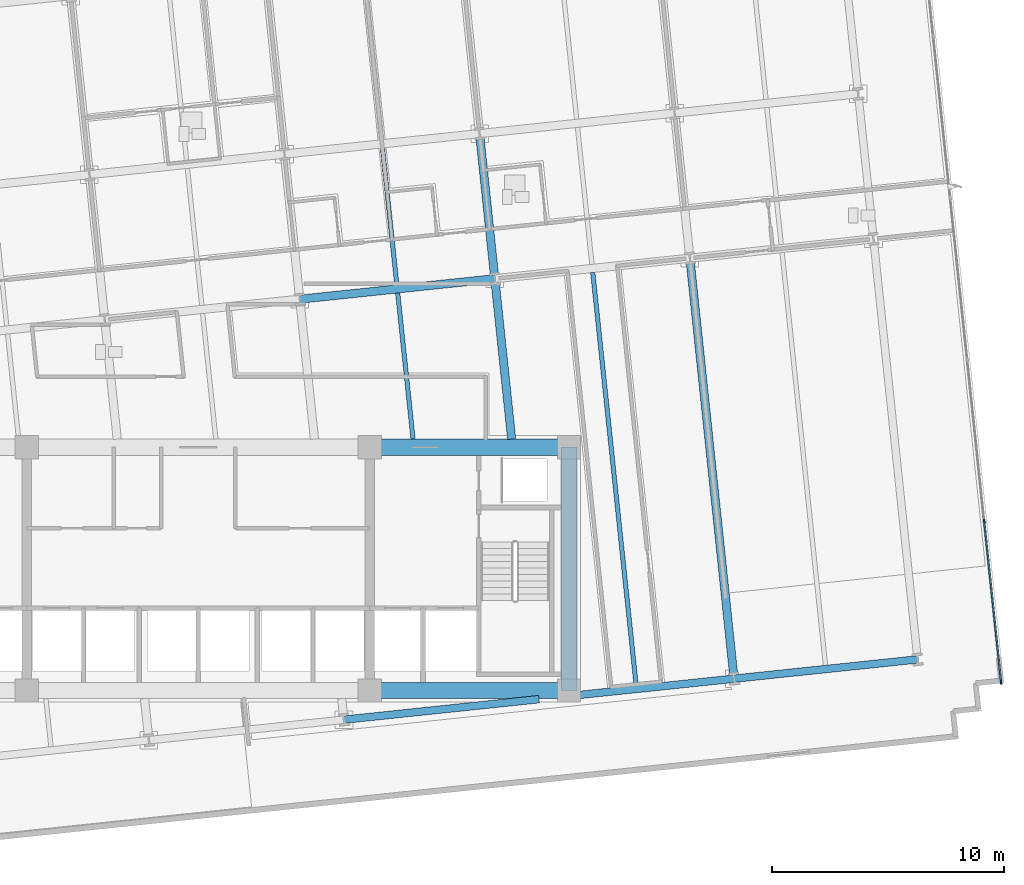
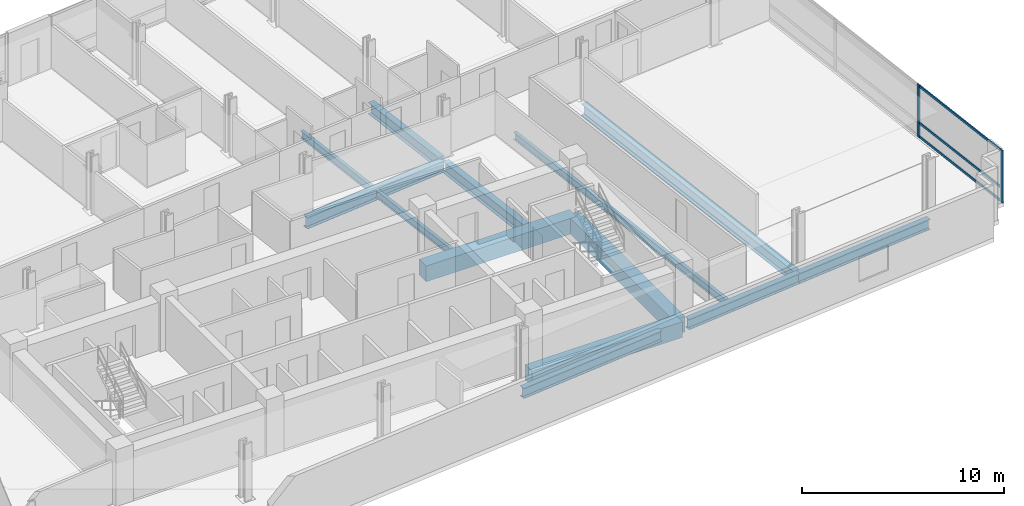
# One storey, part 4 of 17: 13 beams, 5 members, 1 element without a shape of its own.
"""IFC4 building model written with IfcOpenShell, lengths in metres."""

from ifc_helpers import new_model, si_unit, direction, frame, origin, origin_2d, place, context, subcontext, project, spatial, rectangle, i_section, extrude, material, material_profile, profile_set, type_object, element, aggregate, save


model = new_model("IFC4")

# Units and contexts
model_context = context("Model", 3, precision=1e-05, world=origin(), true_north=direction((0.0, 1.0)))
body_context = subcontext(model_context, "Body", "Model", "MODEL_VIEW")
ifc_project = project(units=[si_unit("LENGTHUNIT", "METRE"), si_unit("AREAUNIT", "SQUARE_METRE"), si_unit("VOLUMEUNIT", "CUBIC_METRE"), si_unit("PLANEANGLEUNIT", "RADIAN"), si_unit("MASSUNIT", "GRAM", prefix="KILO")], contexts=[model_context])

# Site, building, storey
site_placement = place(None, origin())
site = spatial("IfcSite", under=ifc_project, at=site_placement, CompositionType="ELEMENT")
building_placement = place(site_placement, origin())
building = spatial("IfcBuilding", under=site, at=building_placement, Name="Solmavex Isthmus Hotel", CompositionType="ELEMENT")
storey_placement = place(building_placement, frame((0.0, 0.0, 93.89990234375)))
storey = spatial("IfcBuildingStorey", under=building, at=storey_placement, Name="L25", CompositionType="ELEMENT", Elevation=93.89990234375)

# Beams
ifc_material_1 = material(Name="Steel ASTM A992 Grade 50", Category="steel")
ifc_material_profile_1 = material_profile(ifc_material_1, i_section(OverallWidth=0.354736328125, OverallDepth=0.695556640625, WebThickness=0.015380859375, FlangeThickness=0.02490234375, FilletRadius=0.017822265625, at=origin_2d()), Name="W27X146")
ifc_profile_set_1 = profile_set([ifc_material_profile_1], Name="Steel ASTM A992 Grade 50")
beam_type_1 = type_object("IfcBeamType", Name="BM-BG-W27X146", PredefinedType="BEAM", material=ifc_profile_set_1)
beam_1_placement = place(storey_placement, frame((4.38037109375, 3.888427734375, -0.607666015625), z_axis=(0.994521085209, 0.104536171134, 0.0), x_axis=(-0.104536171134, 0.994521085209, 0.0)))
element("IfcBeam", 1, at=beam_1_placement, inside=storey, type_object=beam_type_1, Name="Floor Girder L25-UG10", PredefinedType="BEAM", context=body_context, shape_type="SweptSolid", body=[
    extrude(i_section(OverallWidth=0.354736328125, OverallDepth=0.695556640625, WebThickness=0.015380859375, FlangeThickness=0.02490234375, FilletRadius=0.017822265625, at=origin_2d()), origin(), (0.0, 0.0, 1.0), 8.466064453125),
])
beam_2_placement = place(storey_placement, frame((13.52783203125, -2.14990234375, -0.607666015625), z_axis=(-0.104544283528, 0.994520232465, 0.0), x_axis=(-0.994520232465, -0.104544283528, 0.0)))
element("IfcBeam", 2, at=beam_2_placement, inside=storey, type_object=beam_type_1, Name="Floor Beam L25-VG40", PredefinedType="BEAM", context=body_context, shape_type="SweptSolid", body=[
    extrude(i_section(OverallWidth=0.354736328125, OverallDepth=0.695556640625, WebThickness=0.015380859375, FlangeThickness=0.02490234375, FilletRadius=0.017822265625, at=origin_2d()), origin(), (0.0, 0.0, 1.0), 6.783935546875),
])
beam_3_placement = place(storey_placement, frame((12.781494140625, 4.949951171875, -0.607666015625), z_axis=(-0.104505160346, 0.994524344328, 0.0), x_axis=(-0.994524344328, -0.104505160346, 0.0)))
element("IfcBeam", 3, at=beam_3_placement, inside=storey, type_object=beam_type_1, Name="Floor Beam L25-VG41", PredefinedType="BEAM", context=body_context, shape_type="SweptSolid", body=[
    extrude(i_section(OverallWidth=0.354736328125, OverallDepth=0.695556640625, WebThickness=0.015380859375, FlangeThickness=0.02490234375, FilletRadius=0.017822265625, at=origin_2d()), origin(), (0.0, 0.0, 1.0), 5.943115234375),
])
beam_4_placement = place(storey_placement, frame((23.1103515625, -12.329345703125, -0.607666015625), z_axis=(-0.104530088192, 0.99452172458, 0.0), x_axis=(-0.99452172458, -0.104530088192, 0.0)))
element("IfcBeam", 4, at=beam_4_placement, inside=storey, type_object=beam_type_1, Name="Floor Beam L25-VG43", PredefinedType="BEAM", context=body_context, shape_type="SweptSolid", body=[
    extrude(i_section(OverallWidth=0.354736328125, OverallDepth=0.695556640625, WebThickness=0.015380859375, FlangeThickness=0.02490234375, FilletRadius=0.017822265625, at=origin_2d()), origin(), (0.0, 0.0, 1.0), 17.909423828125),
])
ifc_material_profile_2 = material_profile(ifc_material_1, i_section(OverallWidth=0.1904296875, OverallDepth=0.456787109375, WebThickness=0.009033203125, FlangeThickness=0.014404296875, FilletRadius=0.0126953125, at=origin_2d()), Name="W18X50")
ifc_profile_set_2 = profile_set([ifc_material_profile_2], Name="Steel ASTM A992 Grade 50")
beam_type_2 = type_object("IfcBeamType", Name="BM-BJ-W18X50", PredefinedType="JOIST", material=ifc_profile_set_2)
beam_5_placement = place(storey_placement, frame((9.271484375, -2.14990234375, -0.48828125), z_axis=(-0.104524400071, 0.994522322419, 0.0), x_axis=(-0.994522322419, -0.104524400071, 0.0)))
element("IfcBeam", 5, at=beam_5_placement, inside=storey, type_object=beam_type_2, Name="Secondary Floor Joist L25-J13", PredefinedType="JOIST", context=body_context, shape_type="SweptSolid", body=[
    extrude(i_section(OverallWidth=0.1904296875, OverallDepth=0.456787109375, WebThickness=0.009033203125, FlangeThickness=0.014404296875, FilletRadius=0.0126953125, at=origin_2d()), origin(), (0.0, 0.0, 1.0), 6.339111328125),
])
beam_6_placement = place(storey_placement, frame((8.57177734375, 4.50732421875, -0.48828125), z_axis=(-0.104545790518, 0.994520074048, 0.0), x_axis=(-0.994520074048, -0.104545790518, 0.0)))
element("IfcBeam", 6, at=beam_6_placement, inside=storey, type_object=beam_type_2, Name="Secondary Floor Joist L25-J14", PredefinedType="JOIST", context=body_context, shape_type="SweptSolid", body=[
    extrude(i_section(OverallWidth=0.1904296875, OverallDepth=0.456787109375, WebThickness=0.009033203125, FlangeThickness=0.014404296875, FilletRadius=0.0126953125, at=origin_2d()), origin(), (0.0, 0.0, 1.0), 5.943115234375),
])
beam_7_placement = place(storey_placement, frame((18.900390625, -12.771728515625, -0.48828125), z_axis=(-0.104516605126, 0.994523141638, 0.0), x_axis=(-0.994523141638, -0.104516605126, 0.0)))
element("IfcBeam", 7, at=beam_7_placement, inside=storey, type_object=beam_type_2, Name="Secondary Floor Joist L25-J16", PredefinedType="JOIST", context=body_context, shape_type="SweptSolid", body=[
    extrude(i_section(OverallWidth=0.1904296875, OverallDepth=0.456787109375, WebThickness=0.009033203125, FlangeThickness=0.014404296875, FilletRadius=0.0126953125, at=origin_2d()), origin(), (0.0, 0.0, 1.0), 17.909423828125),
])
ifc_material_2 = material(Name="Concrete C60/75", Category="concrete")
ifc_material_profile_3 = material_profile(ifc_material_2, rectangle(XDim=0.699951171875, YDim=0.949951171875, at=origin_2d()), Name="RC700X950")
ifc_profile_set_3 = profile_set([ifc_material_profile_3], Name="Concrete C60/75")
beam_type_3 = type_object("IfcBeamType", Name="BM-CB-700X950", PredefinedType="BEAM", material=ifc_profile_set_3)
for number, where, z_axis, x_axis, name in (
    (8, (7.39990234375, -13.0, -0.73486328125), (1.0, 0.0, 0.0), (0.0, 1.0, 0.0), "Core Coupling Beam L25-CB3"),
    (9, (7.39990234375, -2.5, -0.73486328125), (1.0, 0.0, 0.0), (0.0, 1.0, 0.0), "Core Coupling Beam L25-CB6"),
):
    element("IfcBeam", number, at=place(storey_placement, frame(where, z_axis=z_axis, x_axis=x_axis)), inside=storey, type_object=beam_type_3, Name=name, PredefinedType="BEAM", context=body_context, shape_type="SweptSolid", body=[
        extrude(rectangle(XDim=0.699951171875, YDim=0.949951171875, at=origin_2d()), origin(), (0.0, 0.0, 1.0), 8.60009765625),
    ])
beam_8_placement = place(storey_placement, frame((16.0, -13.0, -0.73486328125), z_axis=(0.0, 1.0, 0.0), x_axis=(-1.0, 0.0, 0.0)))
element("IfcBeam", 10, at=beam_8_placement, inside=storey, type_object=beam_type_3, Name="Core Coupling Beam L25-CB8", PredefinedType="BEAM", context=body_context, shape_type="SweptSolid", body=[
    extrude(rectangle(XDim=0.699951171875, YDim=0.949951171875, at=origin_2d()), origin(), (0.0, 0.0, 1.0), 10.5),
])
ifc_material_profile_4 = material_profile(ifc_material_1, i_section(OverallWidth=0.326416015625, OverallDepth=0.621826171875, WebThickness=0.015380859375, FlangeThickness=0.0244140625, FilletRadius=0.01513671875, at=origin_2d()), Name="W24X131")
ifc_profile_set_4 = profile_set([ifc_material_profile_4], Name="Steel ASTM A992 Grade 50")
beam_type_4 = type_object("IfcBeamType", Name="BM-SP-W24X131", PredefinedType="SPANDREL", material=ifc_profile_set_4)
beam_9_placement = place(storey_placement, frame((6.2880859375, -14.261474609375, -0.57080078125), z_axis=(0.994524082861, 0.104507648572, 0.0), x_axis=(-0.104507648572, 0.994524082861, 0.0)))
element("IfcBeam", 11, at=beam_9_placement, inside=storey, type_object=beam_type_4, Name="Floor Girder L25-UG04", PredefinedType="SPANDREL", context=body_context, shape_type="SweptSolid", body=[
    extrude(i_section(OverallWidth=0.326416015625, OverallDepth=0.621826171875, WebThickness=0.015380859375, FlangeThickness=0.0244140625, FilletRadius=0.01513671875, at=origin_2d()), origin(), (0.0, 0.0, 1.0), 8.466064453125),
])
beam_10_placement = place(storey_placement, frame((16.35009765625, -13.2041015625, -0.57080078125), z_axis=(0.994520754079, 0.10453932134, 0.0), x_axis=(-0.10453932134, 0.994520754079, 0.0)))
element("IfcBeam", 12, at=beam_10_placement, inside=storey, type_object=beam_type_4, Name="Floor Girder L25-UG05", PredefinedType="SPANDREL", context=body_context, shape_type="SweptSolid", body=[
    extrude(i_section(OverallWidth=0.326416015625, OverallDepth=0.621826171875, WebThickness=0.015380859375, FlangeThickness=0.0244140625, FilletRadius=0.01513671875, at=origin_2d()), origin(), (0.0, 0.0, 1.0), 6.814697265625),
])
beam_11_placement = place(storey_placement, frame((23.12744140625, -12.49169921875, -0.57080078125), z_axis=(0.994520217478, 0.10454442609, 0.0), x_axis=(-0.10454442609, 0.994520217478, 0.0)))
element("IfcBeam", 13, at=beam_11_placement, inside=storey, type_object=beam_type_4, Name="Floor Girder L25-UG06", PredefinedType="SPANDREL", context=body_context, shape_type="SweptSolid", body=[
    extrude(i_section(OverallWidth=0.326416015625, OverallDepth=0.621826171875, WebThickness=0.015380859375, FlangeThickness=0.0244140625, FilletRadius=0.01513671875, at=origin_2d()), origin(), (0.0, 0.0, 1.0), 7.968017578125),
])

# Curtain wall, members
ifc_material_3 = material(Name="Aluminium alloy 6063-T6", Category="aluminium")
curtain_wall_type = type_object("IfcCurtainWallType", Name="CW-SYS-03", PredefinedType="NOTDEFINED", material=ifc_material_3)
curtain_wall_placement = place(storey_placement, origin())
curtain_wall = element("IfcCurtainWall", 14, at=curtain_wall_placement, inside=storey, type_object=curtain_wall_type, Name="Stick Curtain Wall CWL-L25-E1", PredefinedType="NOTDEFINED")
ifc_material_profile_5 = material_profile(ifc_material_3, rectangle(XDim=0.070068359375, YDim=0.179931640625, at=origin_2d()), Name="CWM-70X180")
ifc_profile_set_5 = profile_set([ifc_material_profile_5], Name="Aluminium alloy 6063-T6")
member_type_1 = type_object("IfcMemberType", Name="CW-SYS-03-MUL", PredefinedType="MULLION", material=ifc_profile_set_5)
member_1_placement = place(storey_placement, frame((34.6552734375, -12.652587890625, 0.0), z_axis=(0.0, 0.0, 1.0), x_axis=(-0.994521893044, -0.104528485381, 0.0)))
member_1 = element("IfcMember", 15, at=member_1_placement, type_object=member_type_1, Name="CW-03 mullion 1", PredefinedType="MULLION", context=body_context, shape_type="SweptSolid", body=[
    extrude(rectangle(XDim=0.070068359375, YDim=0.179931640625, at=origin_2d()), origin(), (0.0, 0.0, 1.0), 3.190185546875),
])
member_2_placement = place(storey_placement, frame((33.92529296875, -5.705810546875, 0.0), z_axis=(0.0, 0.0, 1.0), x_axis=(-0.994521893044, -0.104528485381, 0.0)))
member_2 = element("IfcMember", 16, at=member_2_placement, type_object=member_type_1, Name="CW-03 mullion 2", PredefinedType="MULLION", context=body_context, shape_type="SweptSolid", body=[
    extrude(rectangle(XDim=0.070068359375, YDim=0.179931640625, at=origin_2d()), origin(), (0.0, 0.0, 1.0), 3.190185546875),
])
ifc_material_profile_6 = material_profile(ifc_material_3, rectangle(XDim=0.070068359375, YDim=0.139892578125, at=origin_2d()), Name="CWT-70X140")
ifc_profile_set_6 = profile_set([ifc_material_profile_6], Name="Aluminium alloy 6063-T6")
member_type_2 = type_object("IfcMemberType", Name="CW-SYS-03-TRN", PredefinedType="USERDEFINED", material=ifc_profile_set_6)
member_3_placement = place(storey_placement, frame((34.651611328125, -12.61767578125, 0.070068359375), z_axis=(-0.104508345235, 0.994524009653, 0.0), x_axis=(-0.994524009653, -0.104508345235, 0.0)))
member_3 = element("IfcMember", 17, at=member_3_placement, type_object=member_type_2, Name="CW-03 transom 1.1", ObjectType="TRANSOM", PredefinedType="USERDEFINED", context=body_context, shape_type="SweptSolid", body=[
    extrude(rectangle(XDim=0.070068359375, YDim=0.139892578125, at=origin_2d()), origin(), (0.0, 0.0, 1.0), 6.914794921875),
])
member_4_placement = place(storey_placement, frame((34.651611328125, -12.61767578125, 0.900146484375), z_axis=(-0.104508345235, 0.994524009653, 0.0), x_axis=(-0.994524009653, -0.104508345235, 0.0)))
member_4 = element("IfcMember", 18, at=member_4_placement, type_object=member_type_2, Name="CW-03 transom 1.2", ObjectType="TRANSOM", PredefinedType="USERDEFINED", context=body_context, shape_type="SweptSolid", body=[
    extrude(rectangle(XDim=0.070068359375, YDim=0.139892578125, at=origin_2d()), origin(), (0.0, 0.0, 1.0), 6.914794921875),
])
member_5_placement = place(storey_placement, frame((34.651611328125, -12.61767578125, 3.1201171875), z_axis=(-0.104508345235, 0.994524009653, 0.0), x_axis=(-0.994524009653, -0.104508345235, 0.0)))
member_5 = element("IfcMember", 19, at=member_5_placement, type_object=member_type_2, Name="CW-03 transom 1.3", ObjectType="TRANSOM", PredefinedType="USERDEFINED", context=body_context, shape_type="SweptSolid", body=[
    extrude(rectangle(XDim=0.070068359375, YDim=0.139892578125, at=origin_2d()), origin(), (0.0, 0.0, 1.0), 6.914794921875),
])
aggregate(curtain_wall, [member_1, member_2, member_3, member_4, member_5])

save(model, "model.ifc")
